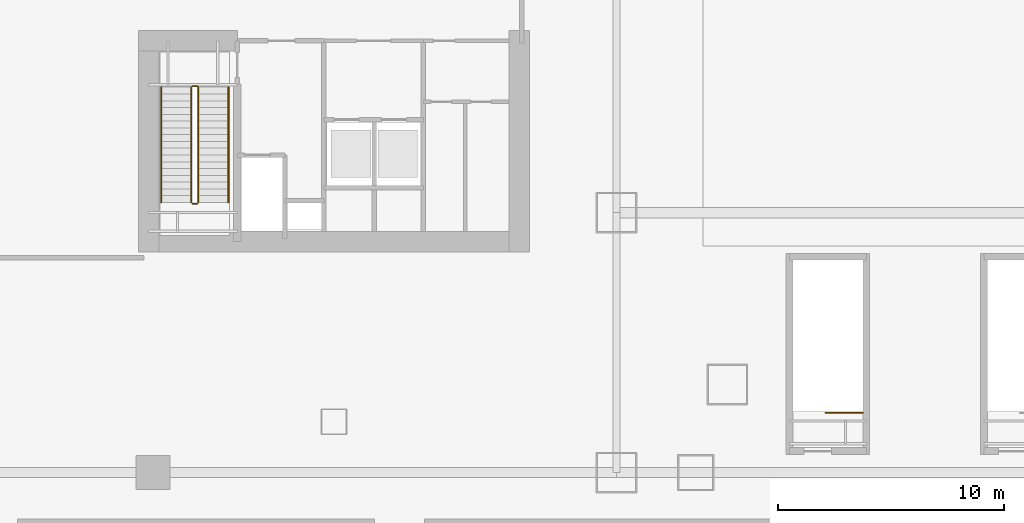
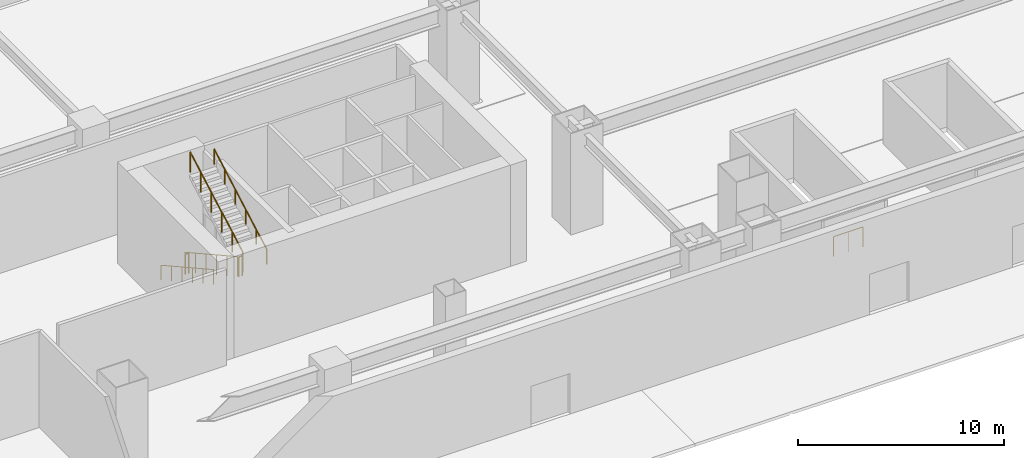
# One storey, part 21 of 31: 7 railings.
"""IFC4 building model written with IfcOpenShell, lengths in metres."""

from ifc_helpers import new_model, si_unit, direction, frame, origin, origin_2d, place, context, subcontext, project, spatial, circle, extrude, material, type_object, element, save


model = new_model("IFC4")

# Units and contexts
model_context = context("Model", 3, precision=1e-05, world=origin(), true_north=direction((0.0, 1.0)))
body_context = subcontext(model_context, "Body", "Model", "MODEL_VIEW")
ifc_project = project(units=[si_unit("LENGTHUNIT", "METRE"), si_unit("AREAUNIT", "SQUARE_METRE"), si_unit("VOLUMEUNIT", "CUBIC_METRE"), si_unit("PLANEANGLEUNIT", "RADIAN"), si_unit("MASSUNIT", "GRAM", prefix="KILO")], contexts=[model_context])

# Site, building, storey
site_placement = place(None, origin())
site = spatial("IfcSite", under=ifc_project, at=site_placement, CompositionType="ELEMENT")
building_placement = place(site_placement, origin())
building = spatial("IfcBuilding", under=site, at=building_placement, Name="Qiaolan Cultural Towers", CompositionType="ELEMENT")
storey_placement = place(building_placement, origin())
storey = spatial("IfcBuildingStorey", under=building, at=storey_placement, Name="L00", CompositionType="ELEMENT", Elevation=0.0)

# Railings
ifc_material_1 = material(Name="Galvanized Painted Steel Stair Guardrail", Category="steel")
railing_type_1 = type_object("IfcRailingType", Name="RL-STAIR-GRD", PredefinedType="GUARDRAIL", material=ifc_material_1)
railing_1_placement = place(storey_placement, frame((23.68994140625, 19.550048828125, 0.166748046875)))
element("IfcRailing", 1, at=railing_1_placement, inside=storey, type_object=railing_type_1, Name="L00 ST-W1 stair guard 1", PredefinedType="GUARDRAIL", context=body_context, shape_type="SweptSolid", body=[
    extrude(circle(Radius=0.02392578125, at=origin_2d()), frame((0.0, 0.0, 1.17578125), z_axis=(0.0, -0.874167145328, 0.485625166182), x_axis=(1.0, 0.0, 0.0)), (0.0, 0.0, 1.0), 5.834228515625),
    extrude(circle(Radius=0.02099609375, at=origin_2d()), origin(), (0.0, 0.0, 1.0), 1.15185546875),
    extrude(circle(Radius=0.02099609375, at=origin_2d()), frame((0.0, -1.02001953125, 0.566650390625)), (0.0, 0.0, 1.0), 1.15185546875),
    extrude(circle(Radius=0.02099609375, at=origin_2d()), frame((0.0, -2.0400390625, 1.13330078125)), (0.0, 0.0, 1.0), 1.15185546875),
    extrude(circle(Radius=0.02099609375, at=origin_2d()), frame((0.0, -3.06005859375, 1.699951171875)), (0.0, 0.0, 1.0), 1.15185546875),
    extrude(circle(Radius=0.02099609375, at=origin_2d()), frame((0.0, -4.080078125, 2.2666015625)), (0.0, 0.0, 1.0), 1.15185546875),
    extrude(circle(Radius=0.02099609375, at=origin_2d()), frame((0.0, -5.10009765625, 2.833251953125)), (0.0, 0.0, 1.0), 1.15185546875),
])
railing_2_placement = place(storey_placement, frame((23.739990234375, 14.39990234375, 3.0)))
element("IfcRailing", 2, at=railing_2_placement, inside=storey, type_object=railing_type_1, Name="L00 ST-W1 stair guard 2", PredefinedType="GUARDRAIL", context=body_context, shape_type="SweptSolid", body=[
    extrude(circle(Radius=0.02392578125, at=origin_2d()), frame((0.0, 0.0, 1.17578125), z_axis=(1.0, 0.0, 0.0), x_axis=(0.0, 1.0, 0.0)), (0.0, 0.0, 1.0), 0.199951171875),
    extrude(circle(Radius=0.02099609375, at=origin_2d()), origin(), (0.0, 0.0, 1.0), 1.15185546875),
    extrude(circle(Radius=0.02099609375, at=origin_2d()), frame((0.199951171875, 0.0, 0.0)), (0.0, 0.0, 1.0), 1.15185546875),
])
railing_3_placement = place(storey_placement, frame((23.989990234375, 14.449951171875, 3.166748046875)))
element("IfcRailing", 3, at=railing_3_placement, inside=storey, type_object=railing_type_1, Name="L00 ST-W1 stair guard 3", PredefinedType="GUARDRAIL", context=body_context, shape_type="SweptSolid", body=[
    extrude(circle(Radius=0.02392578125, at=origin_2d()), frame((0.0, 0.0, 1.17578125), z_axis=(0.0, 0.874167145328, 0.485625166182), x_axis=(-1.0, 0.0, 0.0)), (0.0, 0.0, 1.0), 5.834228515625),
    extrude(circle(Radius=0.02099609375, at=origin_2d()), origin(), (0.0, 0.0, 1.0), 1.15185546875),
    extrude(circle(Radius=0.02099609375, at=origin_2d()), frame((0.0, 1.02001953125, 0.566650390625)), (0.0, 0.0, 1.0), 1.15185546875),
    extrude(circle(Radius=0.02099609375, at=origin_2d()), frame((0.0, 2.0400390625, 1.13330078125)), (0.0, 0.0, 1.0), 1.15185546875),
    extrude(circle(Radius=0.02099609375, at=origin_2d()), frame((0.0, 3.06005859375, 1.699951171875)), (0.0, 0.0, 1.0), 1.15185546875),
    extrude(circle(Radius=0.02099609375, at=origin_2d()), frame((0.0, 4.080078125, 2.2666015625)), (0.0, 0.0, 1.0), 1.15185546875),
    extrude(circle(Radius=0.02099609375, at=origin_2d()), frame((0.0, 5.10009765625, 2.833251953125)), (0.0, 0.0, 1.0), 1.15185546875),
])
railing_4_placement = place(storey_placement, frame((23.739990234375, 19.60009765625, 0.0)))
element("IfcRailing", 4, at=railing_4_placement, inside=storey, type_object=railing_type_1, Name="L00 ST-W1 stair guard 4", PredefinedType="GUARDRAIL", context=body_context, shape_type="SweptSolid", body=[
    extrude(circle(Radius=0.02392578125, at=origin_2d()), frame((0.0, 0.0, 1.17578125), z_axis=(1.0, 0.0, 0.0), x_axis=(0.0, 1.0, 0.0)), (0.0, 0.0, 1.0), 0.199951171875),
    extrude(circle(Radius=0.02099609375, at=origin_2d()), origin(), (0.0, 0.0, 1.0), 1.15185546875),
    extrude(circle(Radius=0.02099609375, at=origin_2d()), frame((0.199951171875, 0.0, 0.0)), (0.0, 0.0, 1.0), 1.15185546875),
])
railing_5_placement = place(storey_placement, frame((53.39990234375, 5.14990234375, 0.0)))
element("IfcRailing", 5, at=railing_5_placement, inside=storey, type_object=railing_type_1, Name="L00 ST-M1 top well guard 1", PredefinedType="GUARDRAIL", context=body_context, shape_type="SweptSolid", body=[
    extrude(circle(Radius=0.02392578125, at=origin_2d()), frame((0.0, 0.0, 1.17578125), z_axis=(-1.0, 0.0, 0.0), x_axis=(0.0, -1.0, 0.0)), (0.0, 0.0, 1.0), 1.64990234375),
    extrude(circle(Radius=0.02099609375, at=origin_2d()), origin(), (0.0, 0.0, 1.0), 1.15185546875),
    extrude(circle(Radius=0.02099609375, at=origin_2d()), frame((-0.824951171875, 0.0, 0.0)), (0.0, 0.0, 1.0), 1.15185546875),
    extrude(circle(Radius=0.02099609375, at=origin_2d()), frame((-1.64990234375, 0.0, 0.0)), (0.0, 0.0, 1.0), 1.15185546875),
])
ifc_material_2 = material(Name="Stainless Steel S30408 Tubular Handrail", Category="steel")
railing_type_2 = type_object("IfcRailingType", Name="RL-STAIR-HR", PredefinedType="HANDRAIL", material=ifc_material_2)
railing_6_placement = place(storey_placement, frame((22.35009765625, 19.550048828125, 0.166748046875)))
element("IfcRailing", 6, at=railing_6_placement, inside=storey, type_object=railing_type_2, Name="L00 ST-W1 stair handrail 1", PredefinedType="HANDRAIL", context=body_context, shape_type="SweptSolid", body=[
    extrude(circle(Radius=0.02392578125, at=origin_2d()), frame((0.0, 0.0, 0.8759765625), z_axis=(0.0, -0.874167145328, 0.485625166182), x_axis=(1.0, 0.0, 0.0)), (0.0, 0.0, 1.0), 5.834228515625),
    extrude(circle(Radius=0.02099609375, at=origin_2d()), origin(), (0.0, 0.0, 1.0), 0.851806640625),
    extrude(circle(Radius=0.02099609375, at=origin_2d()), frame((0.0, -1.02001953125, 0.566650390625)), (0.0, 0.0, 1.0), 0.851806640625),
    extrude(circle(Radius=0.02099609375, at=origin_2d()), frame((0.0, -2.0400390625, 1.13330078125)), (0.0, 0.0, 1.0), 0.851806640625),
    extrude(circle(Radius=0.02099609375, at=origin_2d()), frame((0.0, -3.06005859375, 1.699951171875)), (0.0, 0.0, 1.0), 0.851806640625),
    extrude(circle(Radius=0.02099609375, at=origin_2d()), frame((0.0, -4.080078125, 2.2666015625)), (0.0, 0.0, 1.0), 0.851806640625),
    extrude(circle(Radius=0.02099609375, at=origin_2d()), frame((0.0, -5.10009765625, 2.833251953125)), (0.0, 0.0, 1.0), 0.851806640625),
])
railing_7_placement = place(storey_placement, frame((25.330078125, 14.449951171875, 3.166748046875)))
element("IfcRailing", 7, at=railing_7_placement, inside=storey, type_object=railing_type_2, Name="L00 ST-W1 stair handrail 2", PredefinedType="HANDRAIL", context=body_context, shape_type="SweptSolid", body=[
    extrude(circle(Radius=0.02392578125, at=origin_2d()), frame((0.0, 0.0, 0.8759765625), z_axis=(0.0, 0.874167145328, 0.485625166182), x_axis=(-1.0, 0.0, 0.0)), (0.0, 0.0, 1.0), 5.834228515625),
    extrude(circle(Radius=0.02099609375, at=origin_2d()), origin(), (0.0, 0.0, 1.0), 0.851806640625),
    extrude(circle(Radius=0.02099609375, at=origin_2d()), frame((0.0, 1.02001953125, 0.566650390625)), (0.0, 0.0, 1.0), 0.851806640625),
    extrude(circle(Radius=0.02099609375, at=origin_2d()), frame((0.0, 2.0400390625, 1.13330078125)), (0.0, 0.0, 1.0), 0.851806640625),
    extrude(circle(Radius=0.02099609375, at=origin_2d()), frame((0.0, 3.06005859375, 1.699951171875)), (0.0, 0.0, 1.0), 0.851806640625),
    extrude(circle(Radius=0.02099609375, at=origin_2d()), frame((0.0, 4.080078125, 2.2666015625)), (0.0, 0.0, 1.0), 0.851806640625),
    extrude(circle(Radius=0.02099609375, at=origin_2d()), frame((0.0, 5.10009765625, 2.833251953125)), (0.0, 0.0, 1.0), 0.851806640625),
])

save(model, "model.ifc")
